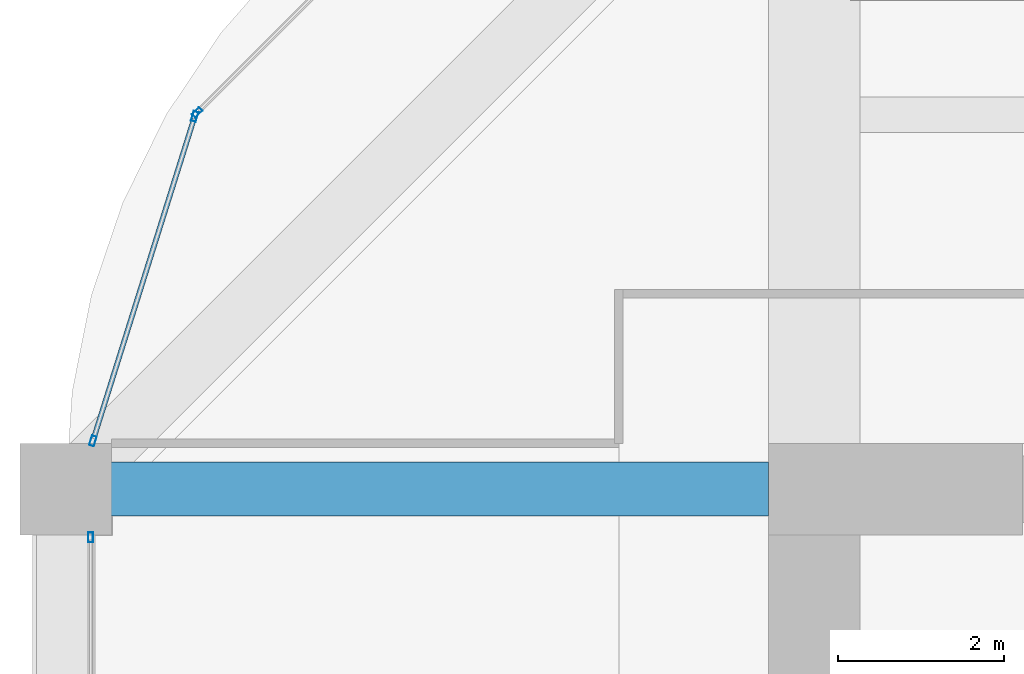
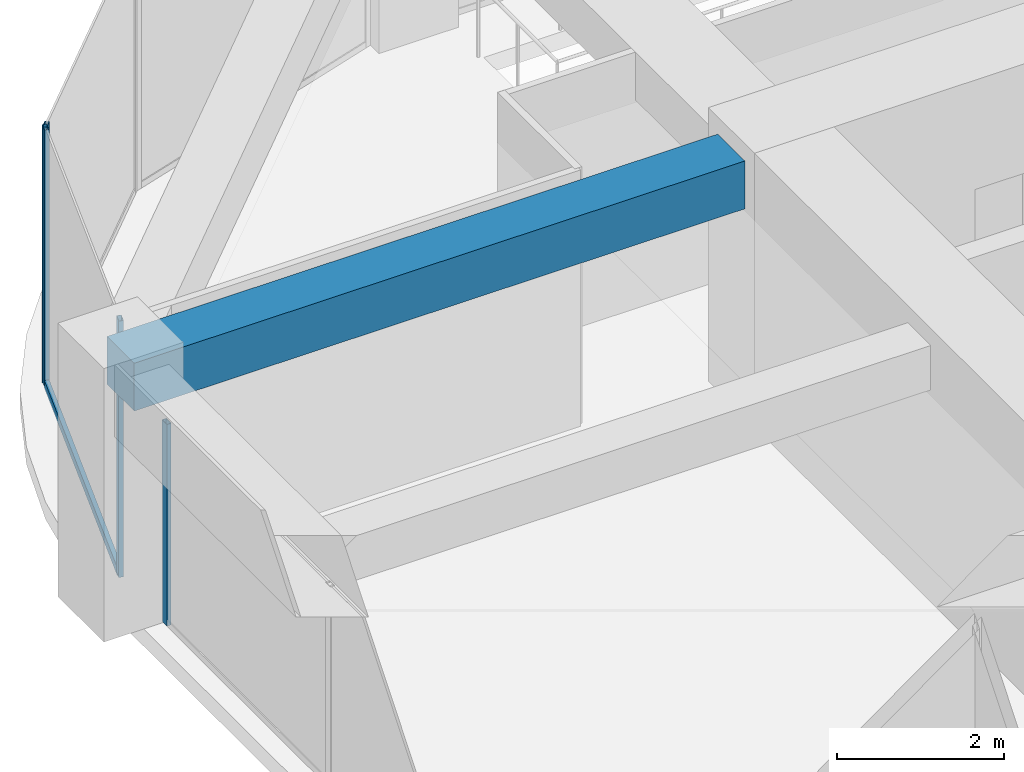
# One storey, part 28 of 44: 5 members, 1 beam, 3 elements without a shape of their own.
"""IFC4 building model written with IfcOpenShell, lengths in metres."""

from ifc_helpers import new_model, si_unit, direction, frame, origin, origin_2d, place, context, subcontext, project, spatial, rectangle, hollow_rectangle, extrude, material, material_profile, profile_set, type_object, element, aggregate, save


model = new_model("IFC4")

# Units and contexts
model_context = context("Model", 3, precision=1e-05, world=origin(), true_north=direction((0.0, 1.0)))
body_context = subcontext(model_context, "Body", "Model", "MODEL_VIEW")
ifc_project = project(units=[si_unit("LENGTHUNIT", "METRE"), si_unit("AREAUNIT", "SQUARE_METRE"), si_unit("VOLUMEUNIT", "CUBIC_METRE"), si_unit("PLANEANGLEUNIT", "RADIAN"), si_unit("MASSUNIT", "GRAM", prefix="KILO")], contexts=[model_context])

# Site, building, storey
site_placement = place(None, origin())
site = spatial("IfcSite", under=ifc_project, at=site_placement, CompositionType="ELEMENT")
building_placement = place(site_placement, origin())
building = spatial("IfcBuilding", under=site, at=building_placement, Name="Zorevar Civic Tower", CompositionType="ELEMENT")
storey_placement = place(building_placement, frame((0.0, 0.0, 275.39990234375)))
storey = spatial("IfcBuildingStorey", under=building, at=storey_placement, Name="L67", CompositionType="ELEMENT", Elevation=275.39990234375)

# Beam
ifc_material_1 = material(Name="Concrete C50/60", Category="concrete")
ifc_material_profile_1 = material_profile(ifc_material_1, rectangle(XDim=0.64990234375, YDim=0.699951171875, at=origin_2d()), Name="RC 650x700")
ifc_profile_set_1 = profile_set([ifc_material_profile_1], Name="Concrete C50/60")
beam_type = type_object("IfcBeamType", Name="Beam RC 650x700", PredefinedType="BEAM", material=ifc_profile_set_1)
beam_placement = place(storey_placement, frame((9.0, 36.0, 3.400146484375), z_axis=(1.0, 0.0, 0.0), x_axis=(0.0, 1.0, 0.0)))
element("IfcBeam", 1, at=beam_placement, inside=storey, type_object=beam_type, Name="Girder L68", PredefinedType="BEAM", context=body_context, shape_type="SweptSolid", body=[
    extrude(rectangle(XDim=0.64990234375, YDim=0.699951171875, at=origin_2d()), origin(), (0.0, 0.0, 1.0), 8.449951171875),
])

# Curtain wall, member
ifc_material_2 = material(Name="Dark grey solar-control glass in black aluminium frame", Category="aluminium")
curtain_wall_type = type_object("IfcCurtainWallType", Name="Curtain wall CW5 top zone", PredefinedType="NOTDEFINED", material=ifc_material_2)
curtain_wall_1_placement = place(storey_placement, origin())
curtain_wall_1 = element("IfcCurtainWall", 2, at=curtain_wall_1_placement, inside=storey, type_object=curtain_wall_type, Name="CW5 L67", PredefinedType="NOTDEFINED")
ifc_material_3 = material(Name="Aluminium, black anodised", Category="aluminium")
ifc_material_profile_2 = material_profile(ifc_material_3, hollow_rectangle(XDim=0.06005859375, YDim=0.1201171875, WallThickness=0.0029296875, at=origin_2d()), Name="AL 120x60x3")
ifc_profile_set_2 = profile_set([ifc_material_profile_2], Name="Aluminium, black anodised")
member_type_1 = type_object("IfcMemberType", Name="CW5 mullion AL 120x60x3", PredefinedType="MULLION", material=ifc_profile_set_2)
member_1_placement = place(storey_placement, frame((9.300048828125, 35.419921875, 0.0), z_axis=(0.0, 0.0, 1.0), x_axis=(-1.0, 0.0, 0.0)))
member_1 = element("IfcMember", 3, at=member_1_placement, type_object=member_type_1, Name="CW5 mullion 3", PredefinedType="MULLION", context=body_context, shape_type="SweptSolid", body=[
    extrude(hollow_rectangle(XDim=0.06005859375, YDim=0.1201171875, WallThickness=0.0029296875, at=origin_2d()), origin(), (0.0, 0.0, 1.0), 2.9501953125),
])
aggregate(curtain_wall_1, [member_1])

curtain_wall_2_placement = place(storey_placement, origin())
curtain_wall_2 = element("IfcCurtainWall", 4, at=curtain_wall_2_placement, inside=storey, type_object=curtain_wall_type, Name="CW5 L67", PredefinedType="NOTDEFINED")
member_2_placement = place(storey_placement, frame((10.580322265625, 40.529052734375, 0.0), z_axis=(0.0, 0.0, 1.0), x_axis=(0.707106781187, -0.707106781187, 0.0)))
member_2 = element("IfcMember", 5, at=member_2_placement, type_object=member_type_1, Name="CW5 mullion 2", PredefinedType="MULLION", context=body_context, shape_type="SweptSolid", body=[
    extrude(hollow_rectangle(XDim=0.06005859375, YDim=0.1201171875, WallThickness=0.0029296875, at=origin_2d()), origin(), (0.0, 0.0, 1.0), 3.75),
])
aggregate(curtain_wall_2, [member_2])

# Curtain wall, members
curtain_wall_3_placement = place(storey_placement, origin())
curtain_wall_3 = element("IfcCurtainWall", 6, at=curtain_wall_3_placement, inside=storey, type_object=curtain_wall_type, Name="CW5 L67", PredefinedType="NOTDEFINED")
member_3_placement = place(storey_placement, frame((10.550048828125, 40.479248046875, 0.0), z_axis=(0.0, 0.0, 1.0), x_axis=(0.954153437674, -0.299317920238, 0.0)))
member_3 = element("IfcMember", 7, at=member_3_placement, type_object=member_type_1, Name="CW5 mullion 1", PredefinedType="MULLION", context=body_context, shape_type="SweptSolid", body=[
    extrude(hollow_rectangle(XDim=0.06005859375, YDim=0.1201171875, WallThickness=0.0029296875, at=origin_2d()), origin(), (0.0, 0.0, 1.0), 3.75),
])
member_4_placement = place(storey_placement, frame((9.326416015625, 36.57861328125, 0.0), z_axis=(0.0, 0.0, 1.0), x_axis=(0.954153437674, -0.299317920238, 0.0)))
member_4 = element("IfcMember", 8, at=member_4_placement, type_object=member_type_1, Name="CW5 mullion 2", PredefinedType="MULLION", context=body_context, shape_type="SweptSolid", body=[
    extrude(hollow_rectangle(XDim=0.06005859375, YDim=0.1201171875, WallThickness=0.0029296875, at=origin_2d()), origin(), (0.0, 0.0, 1.0), 3.75),
])
ifc_material_4 = material(Name="Aluminium, black anodised", Category="aluminium")
ifc_material_profile_3 = material_profile(ifc_material_4, hollow_rectangle(XDim=0.06005859375, YDim=0.1201171875, WallThickness=0.0029296875, at=origin_2d()), Name="AL 120x60x3")
ifc_profile_set_3 = profile_set([ifc_material_profile_3], Name="Aluminium, black anodised")
member_type_2 = type_object("IfcMemberType", Name="CW5 transom AL 120x60x3", PredefinedType="USERDEFINED", material=ifc_profile_set_3)
member_5_placement = place(storey_placement, frame((10.541015625, 40.45068359375, 0.030029296875), z_axis=(-0.299285978047, -0.954163457351, 0.0), x_axis=(0.954163457351, -0.299285978047, 0.0)))
member_5 = element("IfcMember", 9, at=member_5_placement, type_object=member_type_2, Name="CW5 sill transom", ObjectType="TRANSOM", PredefinedType="USERDEFINED", context=body_context, shape_type="SweptSolid", body=[
    extrude(hollow_rectangle(XDim=0.06005859375, YDim=0.1201171875, WallThickness=0.0029296875, at=origin_2d()), origin(), (0.0, 0.0, 1.0), 4.028076171875),
])
aggregate(curtain_wall_3, [member_3, member_4, member_5])

save(model, "model.ifc")
